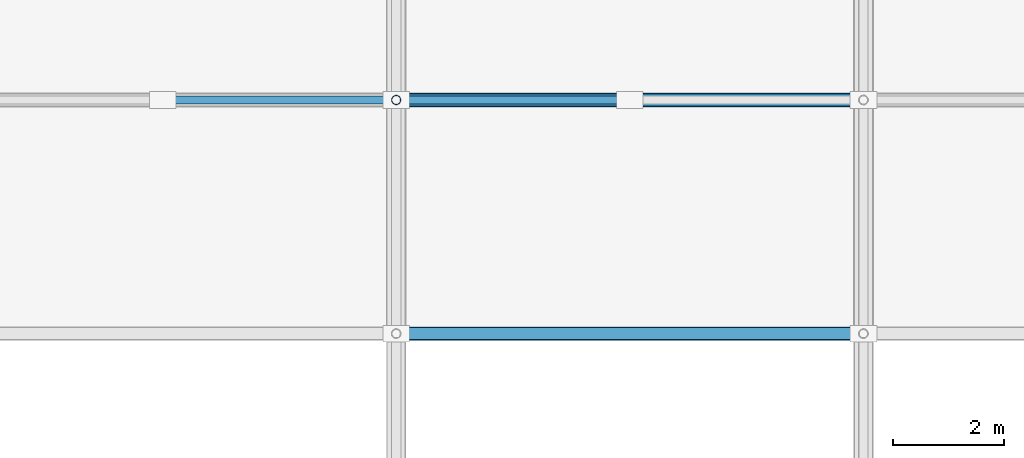
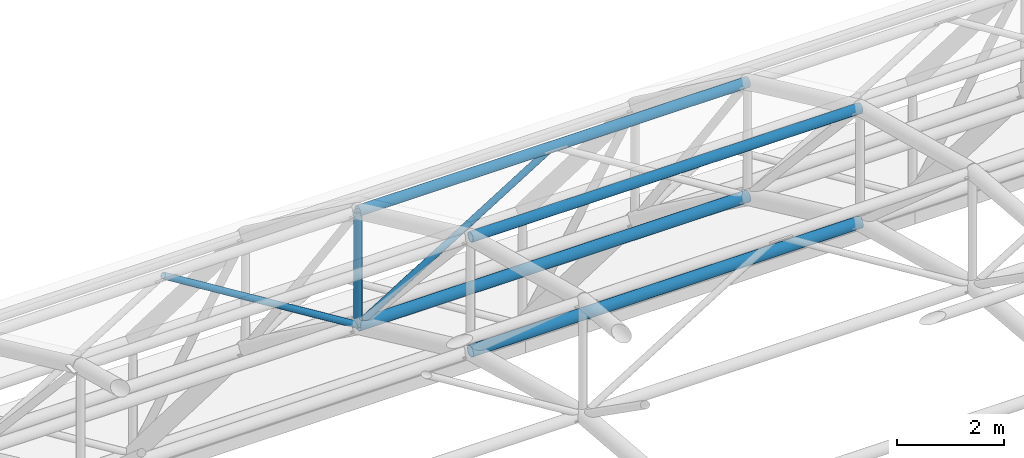
# One storey, part 16 of 103: 7 members.
"""IFC4 building model written with IfcOpenShell, lengths in metres."""

from ifc_helpers import new_model, si_unit, direction, frame, origin, origin_2d, place, context, subcontext, project, spatial, hollow_circle, extrude, material, material_profile, profile_set, type_object, element, save


model = new_model("IFC4")

# Units and contexts
model_context = context("Model", 3, precision=1e-05, world=origin(), true_north=direction((0.0, 1.0)))
body_context = subcontext(model_context, "Body", "Model", "MODEL_VIEW")
ifc_project = project(units=[si_unit("LENGTHUNIT", "METRE"), si_unit("AREAUNIT", "SQUARE_METRE"), si_unit("VOLUMEUNIT", "CUBIC_METRE"), si_unit("PLANEANGLEUNIT", "RADIAN"), si_unit("MASSUNIT", "GRAM", prefix="KILO")], contexts=[model_context])

# Site, building, storey
site_placement = place(None, origin())
site = spatial("IfcSite", under=ifc_project, at=site_placement, CompositionType="ELEMENT")
building_placement = place(site_placement, origin())
building = spatial("IfcBuilding", under=site, at=building_placement, Name="Varnapada Polytechnic", CompositionType="ELEMENT")
storey_placement = place(building_placement, frame((0.0, 0.0, 18.0)))
storey = spatial("IfcBuildingStorey", under=building, at=storey_placement, Name="L04", CompositionType="ELEMENT", Elevation=18.0)

# Members
ifc_material = material(Name="Steel S355", Category="steel")
ifc_material_profile_1 = material_profile(ifc_material, hollow_circle(Radius=0.122314453125, WallThickness=0.008056640625, at=origin_2d()), Name="CHS 244.5x8.0")
ifc_profile_set_1 = profile_set([ifc_material_profile_1], Name="Steel S355")
member_type_1 = type_object("IfcMemberType", Name="Vaulted space frame longitudinal bottom chord SFC-01 (CHS 244.5x8.0)", PredefinedType="CHORD", material=ifc_profile_set_1)
for number, where, z_axis, x_axis, name in (
    (1, (58.800048828125, 113.39990234375, 9.98193359375), (1.0, 0.0, 0.0), (0.0, 1.0, 0.0), "Vaulted space frame longitudinal bottom chord 2.8"),
    (2, (58.800048828125, 117.60009765625, 8.02783203125), (1.0, 0.0, 0.0), (0.0, 1.0, 0.0), "Vaulted space frame longitudinal bottom chord 2.9"),
):
    element("IfcMember", number, at=place(storey_placement, frame(where, z_axis=z_axis, x_axis=x_axis)), inside=storey, type_object=member_type_1, Name=name, PredefinedType="CHORD", context=body_context, shape_type="SweptSolid", body=[
        extrude(hollow_circle(Radius=0.122314453125, WallThickness=0.008056640625, at=origin_2d()), origin(), (0.0, 0.0, 1.0), 8.39990234375),
    ])
ifc_material_profile_2 = material_profile(ifc_material, hollow_circle(Radius=0.109619140625, WallThickness=0.008056640625, at=origin_2d()), Name="CHS 219.1x8.0")
ifc_profile_set_2 = profile_set([ifc_material_profile_2], Name="Steel S355")
member_type_2 = type_object("IfcMemberType", Name="Vaulted space frame longitudinal top chord SFC-02 (CHS 219.1x8.0)", PredefinedType="CHORD", material=ifc_profile_set_2)
for number, where, z_axis, x_axis, name in (
    (3, (58.800048828125, 113.39990234375, 12.581787109375), (1.0, 0.0, 0.0), (0.0, 1.0, 0.0), "Vaulted space frame longitudinal top chord 2.8"),
    (4, (58.800048828125, 117.60009765625, 10.6279296875), (1.0, 0.0, 0.0), (0.0, 1.0, 0.0), "Vaulted space frame longitudinal top chord 2.9"),
):
    element("IfcMember", number, at=place(storey_placement, frame(where, z_axis=z_axis, x_axis=x_axis)), inside=storey, type_object=member_type_2, Name=name, PredefinedType="CHORD", context=body_context, shape_type="SweptSolid", body=[
        extrude(hollow_circle(Radius=0.109619140625, WallThickness=0.008056640625, at=origin_2d()), origin(), (0.0, 0.0, 1.0), 8.39990234375),
    ])
ifc_material_profile_3 = material_profile(ifc_material, hollow_circle(Radius=0.084228515625, WallThickness=0.00634765625, at=origin_2d()), Name="CHS 168.3x6.3")
ifc_profile_set_3 = profile_set([ifc_material_profile_3], Name="Steel S355")
member_type_3 = type_object("IfcMemberType", Name="Vaulted space frame radial web strut SFS-01 (CHS 168.3x6.3)", PredefinedType="STRUT", material=ifc_profile_set_3)
member_placement = place(storey_placement, frame((58.800048828125, 117.60009765625, 8.02783203125), z_axis=(0.0, 0.0, 1.0), x_axis=(1.0, 0.0, 0.0)))
element("IfcMember", 5, at=member_placement, inside=storey, type_object=member_type_3, Name="Vaulted space frame strut 2.9", PredefinedType="STRUT", context=body_context, shape_type="SweptSolid", body=[
    extrude(hollow_circle(Radius=0.084228515625, WallThickness=0.00634765625, at=origin_2d()), origin(), (0.0, 0.0, 1.0), 2.60009765625),
])
ifc_material_profile_4 = material_profile(ifc_material, hollow_circle(Radius=0.06982421875, WallThickness=0.0048828125, at=origin_2d()), Name="CHS 139.7x5.0")
ifc_profile_set_4 = profile_set([ifc_material_profile_4], Name="Steel S355")
member_type_4 = type_object("IfcMemberType", Name="Vaulted space frame secondary web diagonal SFB-02 (CHS 139.7x5.0)", PredefinedType="BRACE", material=ifc_profile_set_4)
for number, where, z_axis, x_axis, name in (
    (6, (58.800048828125, 117.60009765625, 8.02783203125), (-0.85025356003, 0.0, 0.526373331065), (0.0, -1.0, 0.0), "Vaulted space frame longitudinal brace 1.9B"),
    (7, (58.800048828125, 117.60009765625, 8.02783203125), (0.85025356003, 0.0, 0.526373331065), (0.0, 1.0, 0.0), "Vaulted space frame longitudinal brace 2.9A"),
):
    element("IfcMember", number, at=place(storey_placement, frame(where, z_axis=z_axis, x_axis=x_axis)), inside=storey, type_object=member_type_4, Name=name, PredefinedType="BRACE", context=body_context, shape_type="SweptSolid", body=[
        extrude(hollow_circle(Radius=0.06982421875, WallThickness=0.0048828125, at=origin_2d()), origin(), (0.0, 0.0, 1.0), 4.939697265625),
    ])

save(model, "model.ifc")
